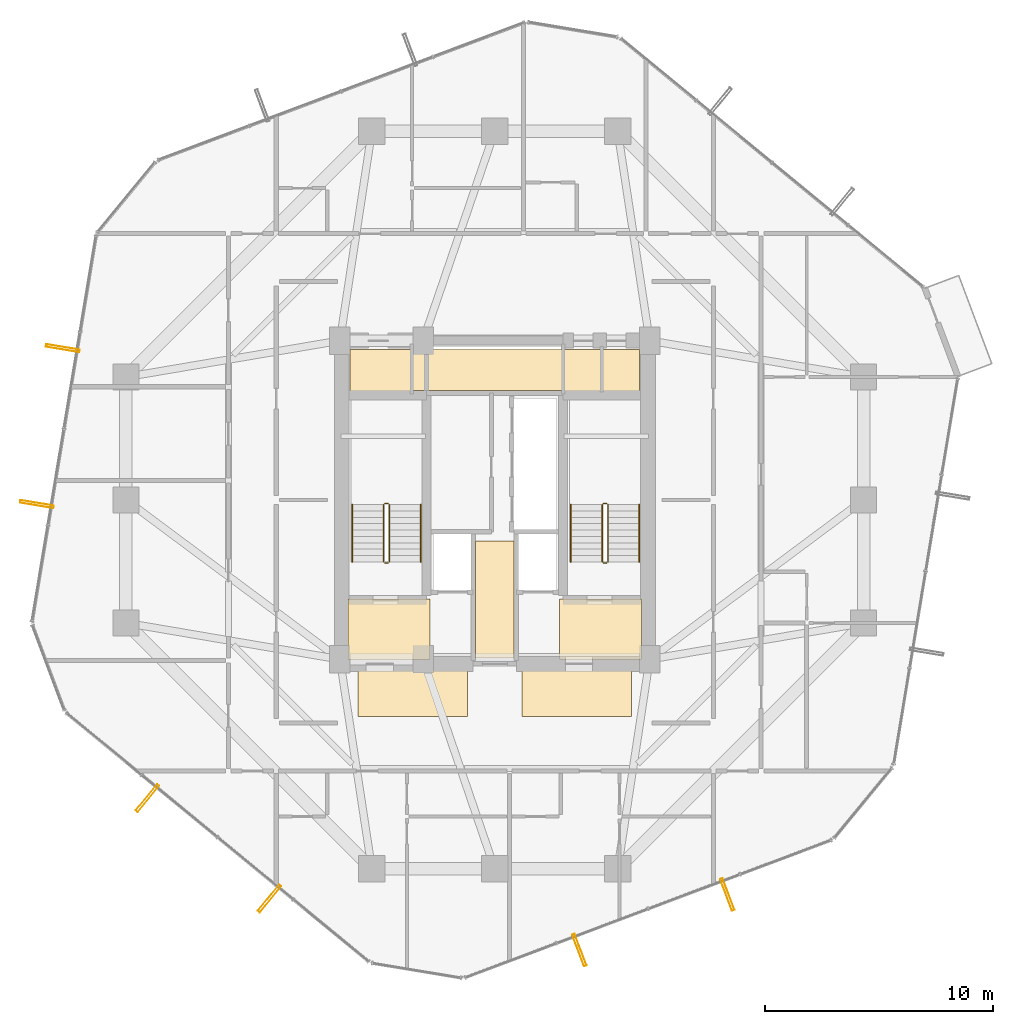
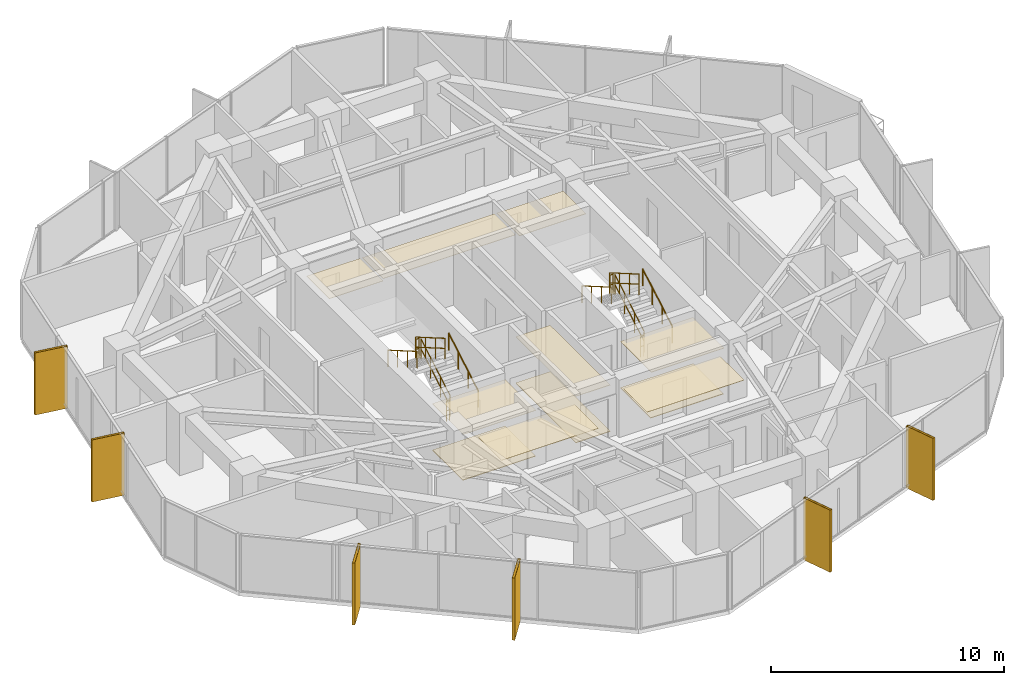
# One storey, part 29 of 30: 12 railings, 11 coverings, 6 shading devices.
"""IFC4 building model written with IfcOpenShell, lengths in metres."""

from ifc_helpers import new_model, si_unit, direction, frame, origin, origin_2d, place, context, subcontext, project, spatial, polyline, hollow_rectangle, circle, outline, extrude, material, layer, layer_set, material_profile, profile_set, type_object, element, save


model = new_model("IFC4")

# Units and contexts
model_context = context("Model", 3, precision=1e-05, world=origin(), true_north=direction((0.0, 1.0)))
body_context = subcontext(model_context, "Body", "Model", "MODEL_VIEW")
ifc_project = project(units=[si_unit("LENGTHUNIT", "METRE"), si_unit("AREAUNIT", "SQUARE_METRE"), si_unit("VOLUMEUNIT", "CUBIC_METRE"), si_unit("PLANEANGLEUNIT", "RADIAN"), si_unit("MASSUNIT", "GRAM", prefix="KILO")], contexts=[model_context])

# Site, building, storey
site_placement = place(None, origin())
site = spatial("IfcSite", under=ifc_project, at=site_placement, CompositionType="ELEMENT")
building_placement = place(site_placement, origin())
building = spatial("IfcBuilding", under=site, at=building_placement, Name="Veraguas Prism Commons", CompositionType="ELEMENT")
storey_placement = place(building_placement, frame((0.0, 0.0, 95.949951171875)))
storey = spatial("IfcBuildingStorey", under=building, at=storey_placement, Name="L26", CompositionType="ELEMENT", Elevation=95.949951171875)

# Shading devices
ifc_material_1 = material(Name="Anodised aluminium EN AW-6063 T6", Category="aluminium")
ifc_material_profile = material_profile(ifc_material_1, hollow_rectangle(XDim=0.1201171875, YDim=1.489990234375, WallThickness=0.006103515625, at=origin_2d()), Name="FIN120X1490X6")
ifc_profile_set = profile_set([ifc_material_profile], Name="Anodised aluminium EN AW-6063 T6")
shading_device_type = type_object("IfcShadingDeviceType", Name="Deep Pale-Metal Vertical Solar Fin 120x1490", PredefinedType="USERDEFINED", material=ifc_profile_set)
for number, where, z_axis, x_axis, name in (
    (1, (5.027587890625, 30.666015625, -0.22998046875), (0.0, 0.0, 1.0), (-0.163670330935, -0.986515089987, 0.0), "Vertical Pale-Metal Solar Fin L26-F3A"),
    (2, (3.8916015625, 23.81787109375, -0.22998046875), (0.0, 0.0, 1.0), (-0.163670330935, -0.986515089987, 0.0), "Vertical Pale-Metal Solar Fin L26-F3B"),
    (3, (8.740966796875, 10.902587890625, -0.22998046875), (0.0, 0.0, 1.0), (0.772514180242, -0.634997512849, 0.0), "Vertical Pale-Metal Solar Fin L26-F4A"),
    (4, (14.103515625, 6.494384765625, -0.22998046875), (0.0, 0.0, 1.0), (0.772514180242, -0.634997512849, 0.0), "Vertical Pale-Metal Solar Fin L26-F4B"),
    (5, (27.71337890625, 4.236572265625, -0.22998046875), (0.0, 0.0, 1.0), (0.93618290812, 0.351513246611, 0.0), "Vertical Pale-Metal Solar Fin L26-F5A"),
    (6, (34.2119140625, 6.6767578125, -0.22998046875), (0.0, 0.0, 1.0), (0.93618290812, 0.351513246611, 0.0), "Vertical Pale-Metal Solar Fin L26-F5B"),
):
    element("IfcShadingDevice", number, at=place(storey_placement, frame(where, z_axis=z_axis, x_axis=x_axis)), inside=storey, type_object=shading_device_type, Name=name, ObjectType="FIN", PredefinedType="USERDEFINED", context=body_context, shape_type="SweptSolid", body=[
        extrude(hollow_rectangle(XDim=0.1201171875, YDim=1.489990234375, WallThickness=0.006103515625, at=origin_2d()), origin(), (0.0, 0.0, 1.0), 3.25),
    ])

# Coverings
ifc_material_2 = material(Name="Acoustic gypsum board")
ifc_layer_1 = layer(ifc_material_2, 0.02490234375, Name="Perforated Acoustic Ceiling Tile 25")
ifc_layer_set_1 = layer_set([ifc_layer_1], Name="Acoustic gypsum board")
covering_type_1 = type_object("IfcCoveringType", Name="Perforated Acoustic Ceiling Tile 25", PredefinedType="USERDEFINED", material=ifc_layer_set_1)
covering_1_placement = place(storey_placement, frame((0.0, 0.0, 2.425048828125)))
element("IfcCovering", 7, at=covering_1_placement, inside=storey, type_object=covering_type_1, Name="East Lobby Acoustic Ceiling L26", ObjectType="ACOUSTIC CEILING", PredefinedType="USERDEFINED", context=body_context, shape_type="SweptSolid", body=[
    extrude(outline(polyline([(26.85009765625, 17.0), (30.449951171875, 17.0), (30.449951171875, 19.64990234375), (26.85009765625, 19.64990234375), (26.85009765625, 17.0)])), origin(), (0.0, 0.0, 1.0), 0.02490234375),
])
ifc_material_3 = material(Name="Terrazzo stone finish", Category="masonry")
ifc_layer_2 = layer(ifc_material_3, 0.030029296875, Name="Polished Terrazzo Floor Finish 30", Category="masonry")
ifc_layer_set_2 = layer_set([ifc_layer_2], Name="Terrazzo stone finish")
covering_type_2 = type_object("IfcCoveringType", Name="Polished Terrazzo Floor Finish 30", PredefinedType="FLOORING", material=ifc_layer_set_2)
covering_2_placement = place(storey_placement, origin())
element("IfcCovering", 8, at=covering_2_placement, inside=storey, type_object=covering_type_2, Name="Terrazzo Lobby Flooring L26", PredefinedType="FLOORING", context=body_context, shape_type="SweptSolid", body=[
    extrude(outline(polyline([(23.14990234375, 17.050048828125), (24.85009765625, 17.050048828125), (24.85009765625, 22.199951171875), (23.14990234375, 22.199951171875), (23.14990234375, 17.050048828125)])), origin(), (0.0, 0.0, 1.0), 0.030029296875),
])
covering_3_placement = place(storey_placement, origin())
element("IfcCovering", 9, at=covering_3_placement, inside=storey, type_object=covering_type_2, Name="West FF Lobby Terrazzo Flooring L26", PredefinedType="FLOORING", context=body_context, shape_type="SweptSolid", body=[
    extrude(outline(polyline([(17.550048828125, 17.050048828125), (21.14990234375, 17.050048828125), (21.14990234375, 19.64990234375), (17.550048828125, 19.64990234375), (17.550048828125, 17.050048828125)])), origin(), (0.0, 0.0, 1.0), 0.030029296875),
])
covering_4_placement = place(storey_placement, origin())
element("IfcCovering", 10, at=covering_4_placement, inside=storey, type_object=covering_type_2, Name="East FF Lobby Terrazzo Flooring L26", PredefinedType="FLOORING", context=body_context, shape_type="SweptSolid", body=[
    extrude(outline(polyline([(26.85009765625, 17.050048828125), (30.449951171875, 17.050048828125), (30.449951171875, 19.64990234375), (26.85009765625, 19.64990234375), (26.85009765625, 17.050048828125)])), origin(), (0.0, 0.0, 1.0), 0.030029296875),
])

# Railings
ifc_material_4 = material(Name="Stainless steel AISI 316", Category="steel")
railing_type_1 = type_object("IfcRailingType", Name="Stair and Ramp Stainless Handrail 900", PredefinedType="HANDRAIL", material=ifc_material_4)
railing_1_placement = place(storey_placement, frame((20.75, 21.280029296875, 0.16259765625)))
element("IfcRailing", 11, at=railing_1_placement, inside=storey, type_object=railing_type_1, Name="Stair Handrail ST-01 L26-1", PredefinedType="HANDRAIL", context=body_context, shape_type="SweptSolid", body=[
    extrude(circle(Radius=0.02392578125, at=origin_2d()), frame((0.0, 0.0, 0.8759765625), z_axis=(0.0, 0.864913338283, 0.50192122615), x_axis=(-1.0, 0.0, 0.0)), (0.0, 0.0, 1.0), 2.91357421875),
    extrude(circle(Radius=0.02099609375, at=origin_2d()), origin(), (0.0, 0.0, 1.0), 0.851806640625),
    extrude(circle(Radius=0.02099609375, at=origin_2d()), frame((0.0, 0.840087890625, 0.487548828125)), (0.0, 0.0, 1.0), 0.851806640625),
    extrude(circle(Radius=0.02099609375, at=origin_2d()), frame((0.0, 1.679931640625, 0.974853515625)), (0.0, 0.0, 1.0), 0.851806640625),
    extrude(circle(Radius=0.02099609375, at=origin_2d()), frame((0.0, 2.52001953125, 1.46240234375)), (0.0, 0.0, 1.0), 0.851806640625),
])
railing_2_placement = place(storey_placement, frame((17.739990234375, 23.800048828125, 1.78759765625)))
element("IfcRailing", 12, at=railing_2_placement, inside=storey, type_object=railing_type_1, Name="Stair Handrail ST-01 L26-2", PredefinedType="HANDRAIL", context=body_context, shape_type="SweptSolid", body=[
    extrude(circle(Radius=0.02392578125, at=origin_2d()), frame((0.0, 0.0, 0.8759765625), z_axis=(0.0, -0.864913338283, 0.50192122615), x_axis=(1.0, 0.0, 0.0)), (0.0, 0.0, 1.0), 2.91357421875),
    extrude(circle(Radius=0.02099609375, at=origin_2d()), origin(), (0.0, 0.0, 1.0), 0.851806640625),
    extrude(circle(Radius=0.02099609375, at=origin_2d()), frame((0.0, -0.840087890625, 0.487548828125)), (0.0, 0.0, 1.0), 0.851806640625),
    extrude(circle(Radius=0.02099609375, at=origin_2d()), frame((0.0, -1.679931640625, 0.974853515625)), (0.0, 0.0, 1.0), 0.851806640625),
    extrude(circle(Radius=0.02099609375, at=origin_2d()), frame((0.0, -2.52001953125, 1.46240234375)), (0.0, 0.0, 1.0), 0.851806640625),
])
railing_3_placement = place(storey_placement, frame((30.35009765625, 21.280029296875, 0.16259765625)))
element("IfcRailing", 13, at=railing_3_placement, inside=storey, type_object=railing_type_1, Name="Stair Handrail ST-02 L26-1", PredefinedType="HANDRAIL", context=body_context, shape_type="SweptSolid", body=[
    extrude(circle(Radius=0.02392578125, at=origin_2d()), frame((0.0, 0.0, 0.8759765625), z_axis=(0.0, 0.864913338283, 0.50192122615), x_axis=(-1.0, 0.0, 0.0)), (0.0, 0.0, 1.0), 2.91357421875),
    extrude(circle(Radius=0.02099609375, at=origin_2d()), origin(), (0.0, 0.0, 1.0), 0.851806640625),
    extrude(circle(Radius=0.02099609375, at=origin_2d()), frame((0.0, 0.840087890625, 0.487548828125)), (0.0, 0.0, 1.0), 0.851806640625),
    extrude(circle(Radius=0.02099609375, at=origin_2d()), frame((0.0, 1.679931640625, 0.974853515625)), (0.0, 0.0, 1.0), 0.851806640625),
    extrude(circle(Radius=0.02099609375, at=origin_2d()), frame((0.0, 2.52001953125, 1.46240234375)), (0.0, 0.0, 1.0), 0.851806640625),
])
railing_4_placement = place(storey_placement, frame((27.340087890625, 23.800048828125, 1.78759765625)))
element("IfcRailing", 14, at=railing_4_placement, inside=storey, type_object=railing_type_1, Name="Stair Handrail ST-02 L26-2", PredefinedType="HANDRAIL", context=body_context, shape_type="SweptSolid", body=[
    extrude(circle(Radius=0.02392578125, at=origin_2d()), frame((0.0, 0.0, 0.8759765625), z_axis=(0.0, -0.864913338283, 0.50192122615), x_axis=(1.0, 0.0, 0.0)), (0.0, 0.0, 1.0), 2.91357421875),
    extrude(circle(Radius=0.02099609375, at=origin_2d()), origin(), (0.0, 0.0, 1.0), 0.851806640625),
    extrude(circle(Radius=0.02099609375, at=origin_2d()), frame((0.0, -0.840087890625, 0.487548828125)), (0.0, 0.0, 1.0), 0.851806640625),
    extrude(circle(Radius=0.02099609375, at=origin_2d()), frame((0.0, -1.679931640625, 0.974853515625)), (0.0, 0.0, 1.0), 0.851806640625),
    extrude(circle(Radius=0.02099609375, at=origin_2d()), frame((0.0, -2.52001953125, 1.46240234375)), (0.0, 0.0, 1.0), 0.851806640625),
])
railing_type_2 = type_object("IfcRailingType", Name="Stairwell Safety Guardrail 1100", PredefinedType="GUARDRAIL", material=ifc_material_4)
railing_5_placement = place(storey_placement, frame((19.3701171875, 21.280029296875, 0.16259765625)))
element("IfcRailing", 15, at=railing_5_placement, inside=storey, type_object=railing_type_2, Name="Stair Guard ST-01 L26-1", PredefinedType="GUARDRAIL", context=body_context, shape_type="SweptSolid", body=[
    extrude(circle(Radius=0.02392578125, at=origin_2d()), frame((0.0, 0.0, 1.076171875), z_axis=(0.0, 0.864913338283, 0.50192122615), x_axis=(-1.0, 0.0, 0.0)), (0.0, 0.0, 1.0), 2.91357421875),
    extrude(circle(Radius=0.02392578125, at=origin_2d()), frame((0.0, 0.0, 0.550048828125), z_axis=(0.0, 0.864913338283, 0.50192122615), x_axis=(-1.0, 0.0, 0.0)), (0.0, 0.0, 1.0), 2.91357421875),
    extrude(circle(Radius=0.02099609375, at=origin_2d()), origin(), (0.0, 0.0, 1.0), 1.052001953125),
    extrude(circle(Radius=0.02099609375, at=origin_2d()), frame((0.0, 0.840087890625, 0.487548828125)), (0.0, 0.0, 1.0), 1.052001953125),
    extrude(circle(Radius=0.02099609375, at=origin_2d()), frame((0.0, 1.679931640625, 0.974853515625)), (0.0, 0.0, 1.0), 1.052001953125),
    extrude(circle(Radius=0.02099609375, at=origin_2d()), frame((0.0, 2.52001953125, 1.46240234375)), (0.0, 0.0, 1.0), 1.052001953125),
])
railing_6_placement = place(storey_placement, frame((19.320068359375, 23.85009765625, 1.625)))
element("IfcRailing", 16, at=railing_6_placement, inside=storey, type_object=railing_type_2, Name="Stair Guard ST-01 L26-2", PredefinedType="GUARDRAIL", context=body_context, shape_type="SweptSolid", body=[
    extrude(circle(Radius=0.02392578125, at=origin_2d()), frame((0.0, 0.0, 1.076171875), z_axis=(-1.0, 0.0, 0.0), x_axis=(0.0, -1.0, 0.0)), (0.0, 0.0, 1.0), 0.150146484375),
    extrude(circle(Radius=0.02392578125, at=origin_2d()), frame((0.0, 0.0, 0.550048828125), z_axis=(-1.0, 0.0, 0.0), x_axis=(0.0, -1.0, 0.0)), (0.0, 0.0, 1.0), 0.150146484375),
    extrude(circle(Radius=0.02099609375, at=origin_2d()), origin(), (0.0, 0.0, 1.0), 1.052001953125),
    extrude(circle(Radius=0.02099609375, at=origin_2d()), frame((-0.150146484375, 0.0, 0.0)), (0.0, 0.0, 1.0), 1.052001953125),
])
railing_7_placement = place(storey_placement, frame((19.1201171875, 23.800048828125, 1.78759765625)))
element("IfcRailing", 17, at=railing_7_placement, inside=storey, type_object=railing_type_2, Name="Stair Guard ST-01 L26-3", PredefinedType="GUARDRAIL", context=body_context, shape_type="SweptSolid", body=[
    extrude(circle(Radius=0.02392578125, at=origin_2d()), frame((0.0, 0.0, 1.076171875), z_axis=(0.0, -0.864913338283, 0.50192122615), x_axis=(1.0, 0.0, 0.0)), (0.0, 0.0, 1.0), 2.91357421875),
    extrude(circle(Radius=0.02392578125, at=origin_2d()), frame((0.0, 0.0, 0.550048828125), z_axis=(0.0, -0.864913338283, 0.50192122615), x_axis=(1.0, 0.0, 0.0)), (0.0, 0.0, 1.0), 2.91357421875),
    extrude(circle(Radius=0.02099609375, at=origin_2d()), origin(), (0.0, 0.0, 1.0), 1.052001953125),
    extrude(circle(Radius=0.02099609375, at=origin_2d()), frame((0.0, -0.840087890625, 0.487548828125)), (0.0, 0.0, 1.0), 1.052001953125),
    extrude(circle(Radius=0.02099609375, at=origin_2d()), frame((0.0, -1.679931640625, 0.974853515625)), (0.0, 0.0, 1.0), 1.052001953125),
    extrude(circle(Radius=0.02099609375, at=origin_2d()), frame((0.0, -2.52001953125, 1.46240234375)), (0.0, 0.0, 1.0), 1.052001953125),
])
railing_8_placement = place(storey_placement, frame((19.320068359375, 21.22998046875, 0.0)))
element("IfcRailing", 18, at=railing_8_placement, inside=storey, type_object=railing_type_2, Name="Stair Guard ST-01 L26-4", PredefinedType="GUARDRAIL", context=body_context, shape_type="SweptSolid", body=[
    extrude(circle(Radius=0.02392578125, at=origin_2d()), frame((0.0, 0.0, 1.076171875), z_axis=(-1.0, 0.0, 0.0), x_axis=(0.0, -1.0, 0.0)), (0.0, 0.0, 1.0), 0.150146484375),
    extrude(circle(Radius=0.02392578125, at=origin_2d()), frame((0.0, 0.0, 0.550048828125), z_axis=(-1.0, 0.0, 0.0), x_axis=(0.0, -1.0, 0.0)), (0.0, 0.0, 1.0), 0.150146484375),
    extrude(circle(Radius=0.02099609375, at=origin_2d()), origin(), (0.0, 0.0, 1.0), 1.052001953125),
    extrude(circle(Radius=0.02099609375, at=origin_2d()), frame((-0.150146484375, 0.0, 0.0)), (0.0, 0.0, 1.0), 1.052001953125),
])
railing_9_placement = place(storey_placement, frame((28.969970703125, 21.280029296875, 0.16259765625)))
element("IfcRailing", 19, at=railing_9_placement, inside=storey, type_object=railing_type_2, Name="Stair Guard ST-02 L26-1", PredefinedType="GUARDRAIL", context=body_context, shape_type="SweptSolid", body=[
    extrude(circle(Radius=0.02392578125, at=origin_2d()), frame((0.0, 0.0, 1.076171875), z_axis=(0.0, 0.864913338283, 0.50192122615), x_axis=(-1.0, 0.0, 0.0)), (0.0, 0.0, 1.0), 2.91357421875),
    extrude(circle(Radius=0.02392578125, at=origin_2d()), frame((0.0, 0.0, 0.550048828125), z_axis=(0.0, 0.864913338283, 0.50192122615), x_axis=(-1.0, 0.0, 0.0)), (0.0, 0.0, 1.0), 2.91357421875),
    extrude(circle(Radius=0.02099609375, at=origin_2d()), origin(), (0.0, 0.0, 1.0), 1.052001953125),
    extrude(circle(Radius=0.02099609375, at=origin_2d()), frame((0.0, 0.840087890625, 0.487548828125)), (0.0, 0.0, 1.0), 1.052001953125),
    extrude(circle(Radius=0.02099609375, at=origin_2d()), frame((0.0, 1.679931640625, 0.974853515625)), (0.0, 0.0, 1.0), 1.052001953125),
    extrude(circle(Radius=0.02099609375, at=origin_2d()), frame((0.0, 2.52001953125, 1.46240234375)), (0.0, 0.0, 1.0), 1.052001953125),
])
railing_10_placement = place(storey_placement, frame((28.919921875, 23.85009765625, 1.625)))
element("IfcRailing", 20, at=railing_10_placement, inside=storey, type_object=railing_type_2, Name="Stair Guard ST-02 L26-2", PredefinedType="GUARDRAIL", context=body_context, shape_type="SweptSolid", body=[
    extrude(circle(Radius=0.02392578125, at=origin_2d()), frame((0.0, 0.0, 1.076171875), z_axis=(-1.0, 0.0, 0.0), x_axis=(0.0, -1.0, 0.0)), (0.0, 0.0, 1.0), 0.14990234375),
    extrude(circle(Radius=0.02392578125, at=origin_2d()), frame((0.0, 0.0, 0.550048828125), z_axis=(-1.0, 0.0, 0.0), x_axis=(0.0, -1.0, 0.0)), (0.0, 0.0, 1.0), 0.14990234375),
    extrude(circle(Radius=0.02099609375, at=origin_2d()), origin(), (0.0, 0.0, 1.0), 1.052001953125),
    extrude(circle(Radius=0.02099609375, at=origin_2d()), frame((-0.14990234375, 0.0, 0.0)), (0.0, 0.0, 1.0), 1.052001953125),
])
railing_11_placement = place(storey_placement, frame((28.719970703125, 23.800048828125, 1.78759765625)))
element("IfcRailing", 21, at=railing_11_placement, inside=storey, type_object=railing_type_2, Name="Stair Guard ST-02 L26-3", PredefinedType="GUARDRAIL", context=body_context, shape_type="SweptSolid", body=[
    extrude(circle(Radius=0.02392578125, at=origin_2d()), frame((0.0, 0.0, 1.076171875), z_axis=(0.0, -0.864913338283, 0.50192122615), x_axis=(1.0, 0.0, 0.0)), (0.0, 0.0, 1.0), 2.91357421875),
    extrude(circle(Radius=0.02392578125, at=origin_2d()), frame((0.0, 0.0, 0.550048828125), z_axis=(0.0, -0.864913338283, 0.50192122615), x_axis=(1.0, 0.0, 0.0)), (0.0, 0.0, 1.0), 2.91357421875),
    extrude(circle(Radius=0.02099609375, at=origin_2d()), origin(), (0.0, 0.0, 1.0), 1.052001953125),
    extrude(circle(Radius=0.02099609375, at=origin_2d()), frame((0.0, -0.840087890625, 0.487548828125)), (0.0, 0.0, 1.0), 1.052001953125),
    extrude(circle(Radius=0.02099609375, at=origin_2d()), frame((0.0, -1.679931640625, 0.974853515625)), (0.0, 0.0, 1.0), 1.052001953125),
    extrude(circle(Radius=0.02099609375, at=origin_2d()), frame((0.0, -2.52001953125, 1.46240234375)), (0.0, 0.0, 1.0), 1.052001953125),
])
railing_12_placement = place(storey_placement, frame((28.919921875, 21.22998046875, 0.0)))
element("IfcRailing", 22, at=railing_12_placement, inside=storey, type_object=railing_type_2, Name="Stair Guard ST-02 L26-4", PredefinedType="GUARDRAIL", context=body_context, shape_type="SweptSolid", body=[
    extrude(circle(Radius=0.02392578125, at=origin_2d()), frame((0.0, 0.0, 1.076171875), z_axis=(-1.0, 0.0, 0.0), x_axis=(0.0, -1.0, 0.0)), (0.0, 0.0, 1.0), 0.14990234375),
    extrude(circle(Radius=0.02392578125, at=origin_2d()), frame((0.0, 0.0, 0.550048828125), z_axis=(-1.0, 0.0, 0.0), x_axis=(0.0, -1.0, 0.0)), (0.0, 0.0, 1.0), 0.14990234375),
    extrude(circle(Radius=0.02099609375, at=origin_2d()), origin(), (0.0, 0.0, 1.0), 1.052001953125),
    extrude(circle(Radius=0.02099609375, at=origin_2d()), frame((-0.14990234375, 0.0, 0.0)), (0.0, 0.0, 1.0), 1.052001953125),
])

# Coverings
ifc_layer_3 = layer(ifc_material_2, 0.02001953125, Name="Suspended Gypsum Ceiling 20")
ifc_layer_set_3 = layer_set([ifc_layer_3], Name="Acoustic gypsum board")
covering_type_3 = type_object("IfcCoveringType", Name="Suspended Gypsum Ceiling 20", PredefinedType="CEILING", material=ifc_layer_set_3)
covering_5_placement = place(storey_placement, frame((0.0, 0.0, 2.429931640625)))
element("IfcCovering", 23, at=covering_5_placement, inside=storey, type_object=covering_type_3, Name="West Lobby Suspended Gypsum Ceiling L26", PredefinedType="CEILING", context=body_context, shape_type="SweptSolid", body=[
    extrude(outline(polyline([(17.550048828125, 17.0), (21.14990234375, 17.0), (21.14990234375, 19.64990234375), (17.550048828125, 19.64990234375), (17.550048828125, 17.0)])), origin(), (0.0, 0.0, 1.0), 0.02001953125),
])
covering_6_placement = place(storey_placement, frame((0.0, 0.0, 2.429931640625)))
element("IfcCovering", 24, at=covering_6_placement, inside=storey, type_object=covering_type_3, Name="Core Lobby Acoustic Ceiling L26-1", PredefinedType="CEILING", context=body_context, shape_type="SweptSolid", body=[
    extrude(outline(polyline([(18.0, 14.5), (22.800048828125, 14.5), (22.800048828125, 16.550048828125), (18.0, 16.550048828125), (18.0, 14.5)])), origin(), (0.0, 0.0, 1.0), 0.02001953125),
])
covering_7_placement = place(storey_placement, frame((0.0, 0.0, 2.429931640625)))
element("IfcCovering", 25, at=covering_7_placement, inside=storey, type_object=covering_type_3, Name="Core Lobby Acoustic Ceiling L26-2", PredefinedType="CEILING", context=body_context, shape_type="SweptSolid", body=[
    extrude(outline(polyline([(25.199951171875, 14.5), (30.0, 14.5), (30.0, 16.550048828125), (25.199951171875, 16.550048828125), (25.199951171875, 14.5)])), origin(), (0.0, 0.0, 1.0), 0.02001953125),
])
covering_8_placement = place(storey_placement, frame((0.0, 0.0, 2.429931640625)))
element("IfcCovering", 26, at=covering_8_placement, inside=storey, type_object=covering_type_3, Name="Core Lobby Acoustic Ceiling L26-3", PredefinedType="CEILING", context=body_context, shape_type="SweptSolid", body=[
    extrude(outline(polyline([(23.14990234375, 17.050048828125), (24.85009765625, 17.050048828125), (24.85009765625, 22.199951171875), (23.14990234375, 22.199951171875), (23.14990234375, 17.050048828125)])), origin(), (0.0, 0.0, 1.0), 0.02001953125),
])
covering_9_placement = place(storey_placement, frame((0.0, 0.0, 2.429931640625)))
element("IfcCovering", 27, at=covering_9_placement, inside=storey, type_object=covering_type_3, Name="Core Lobby Acoustic Ceiling L26-4", PredefinedType="CEILING", context=body_context, shape_type="SweptSolid", body=[
    extrude(outline(polyline([(17.64990234375, 28.64990234375), (20.300048828125, 28.64990234375), (20.300048828125, 30.60009765625), (17.64990234375, 30.60009765625), (17.64990234375, 28.64990234375)])), origin(), (0.0, 0.0, 1.0), 0.02001953125),
])
covering_10_placement = place(storey_placement, frame((0.0, 0.0, 2.429931640625)))
element("IfcCovering", 28, at=covering_10_placement, inside=storey, type_object=covering_type_3, Name="Core Lobby Acoustic Ceiling L26-5", PredefinedType="CEILING", context=body_context, shape_type="SweptSolid", body=[
    extrude(outline(polyline([(27.050048828125, 28.64990234375), (30.35009765625, 28.64990234375), (30.35009765625, 30.60009765625), (27.050048828125, 30.60009765625), (27.050048828125, 28.64990234375)])), origin(), (0.0, 0.0, 1.0), 0.02001953125),
])
covering_11_placement = place(storey_placement, frame((0.0, 0.0, 2.429931640625)))
element("IfcCovering", 29, at=covering_11_placement, inside=storey, type_object=covering_type_3, Name="Core Lobby Acoustic Ceiling L26-6", PredefinedType="CEILING", context=body_context, shape_type="SweptSolid", body=[
    extrude(outline(polyline([(20.39990234375, 28.800048828125), (26.949951171875, 28.800048828125), (26.949951171875, 30.60009765625), (20.39990234375, 30.60009765625), (20.39990234375, 28.800048828125)])), origin(), (0.0, 0.0, 1.0), 0.02001953125),
])

save(model, "model.ifc")
